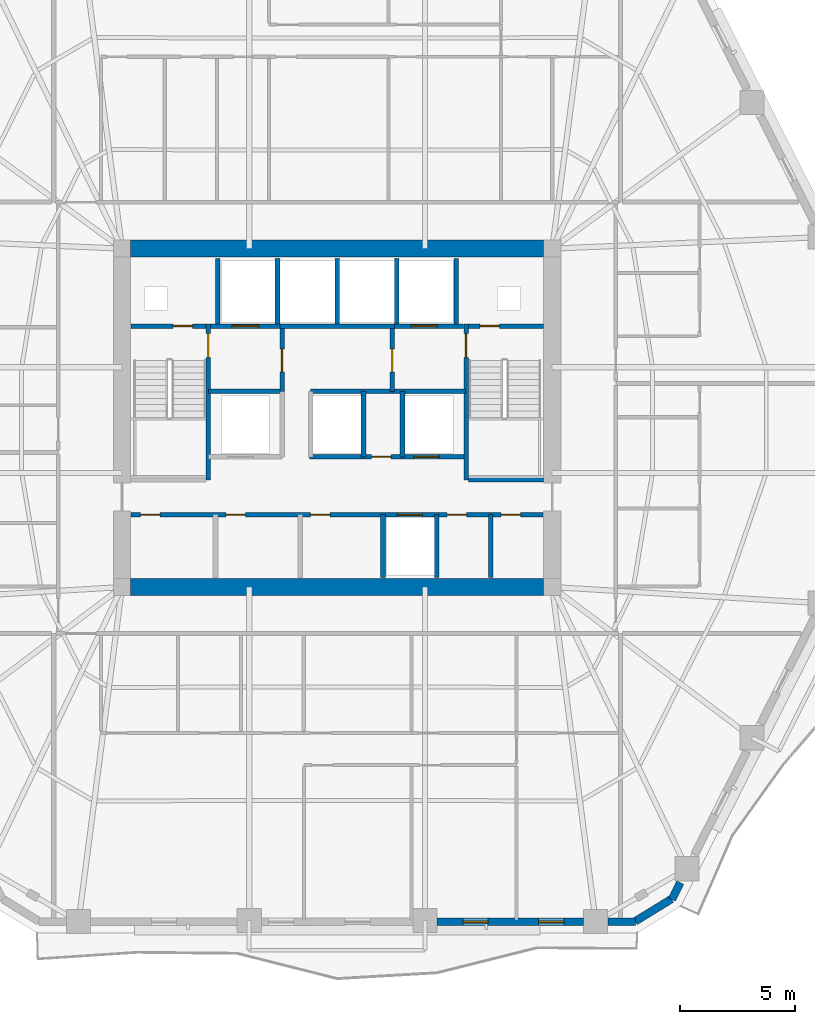
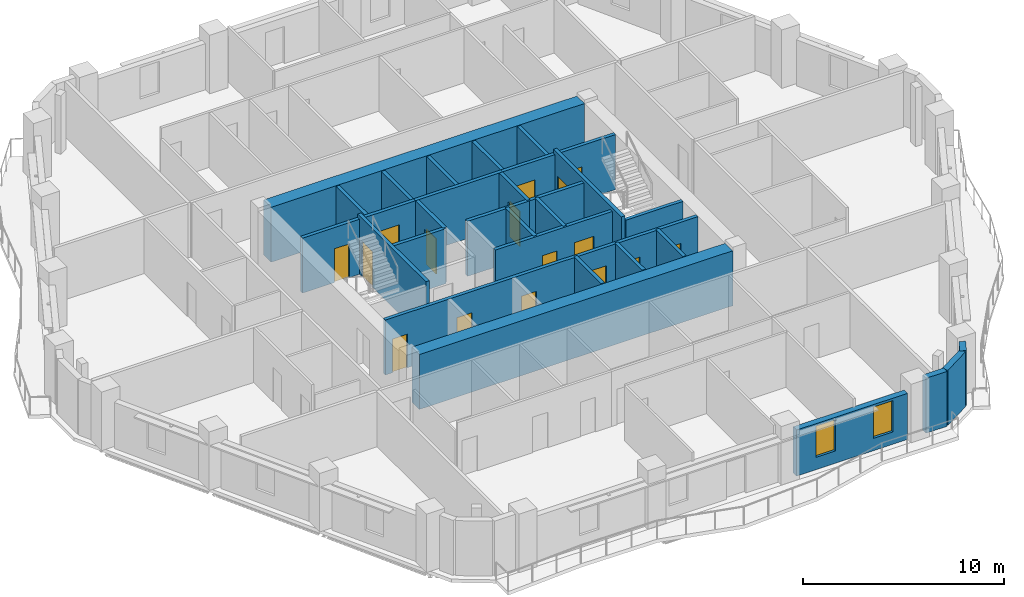
# One storey, part 5 of 12: 31 walls, 16 doors, 2 windows, 18 openings.
"""IFC4 building model written with IfcOpenShell, lengths in metres."""

from ifc_helpers import new_model, si_unit, direction, frame, frame_2d, origin, place, context, subcontext, project, spatial, rectangle, extrude, material, layer, layer_set, type_object, element, fill, save


model = new_model("IFC4")

# Units and contexts
model_context = context("Model", 3, precision=1e-05, world=origin(), true_north=direction((0.0, 1.0)))
body_context = subcontext(model_context, "Body", "Model", "MODEL_VIEW")
ifc_project = project(units=[si_unit("LENGTHUNIT", "METRE"), si_unit("AREAUNIT", "SQUARE_METRE"), si_unit("VOLUMEUNIT", "CUBIC_METRE"), si_unit("PLANEANGLEUNIT", "RADIAN"), si_unit("MASSUNIT", "GRAM", prefix="KILO")], contexts=[model_context])

# Site, building, storey
site_placement = place(None, origin())
site = spatial("IfcSite", under=ifc_project, at=site_placement, CompositionType="ELEMENT")
building_placement = place(site_placement, origin())
building = spatial("IfcBuilding", under=site, at=building_placement, Name="Cinnabar Lancet Tower", CompositionType="ELEMENT")
storey_placement = place(building_placement, frame((0.0, 0.0, 141.0)))
storey = spatial("IfcBuildingStorey", under=building, at=storey_placement, Name="L37", CompositionType="ELEMENT", Elevation=141.0)

# Wall
ifc_material_1 = material(Name="Autoclaved aerated concrete blockwork", Category="masonry")
ifc_layer_1 = layer(ifc_material_1, 0.199951171875)
ifc_layer_set_1 = layer_set([ifc_layer_1], Name="Autoclaved aerated concrete blockwork")
wall_type_1 = type_object("IfcWallType", Name="ARC-WL-SHAFT-200", PredefinedType="PLUMBINGWALL", material=ifc_layer_set_1)
wall_1_placement = place(storey_placement, frame((38.125, 23.199951171875, 0.0), z_axis=(0.0, 0.0, 1.0), x_axis=(1.0, 0.0, 0.0)))
element("IfcWall", 1, at=wall_1_placement, inside=storey, type_object=wall_type_1, Name="CW-ST2S-L37", PredefinedType="PLUMBINGWALL", context=body_context, shape_type="SweptSolid", body=[
    extrude(rectangle(XDim=3.27001953125, YDim=0.199951171875, at=frame_2d((1.635009765625, 0.0))), origin(), (0.0, 0.0, 1.0), 3.340087890625),
])

# Wall, opening, door
wall_2_placement = place(storey_placement, frame((23.405029296875, 29.89990234375, 0.0), z_axis=(0.0, 0.0, 1.0), x_axis=(1.0, 0.0, 0.0)))
wall_2 = element("IfcWall", 2, at=wall_2_placement, inside=storey, type_object=wall_type_1, Name="CW-NSH-W-L37", PredefinedType="PLUMBINGWALL", context=body_context, shape_type="SweptSolid", body=[
    extrude(rectangle(XDim=3.27001953125, YDim=0.199951171875, at=frame_2d((1.635009765625, 0.0))), origin(), (0.0, 0.0, 1.0), 3.340087890625),
])
opening_1_placement = place(wall_2_placement, frame((1.85009765625, 0.0, 0.0)))
opening_1 = element("IfcOpeningElement", 3, at=opening_1_placement, cuts=wall_2, Name="Opening PD-02", PredefinedType="OPENING", context=body_context, shape_type="SweptSolid", body=[
    extrude(rectangle(XDim=0.85009765625, YDim=2.050048828125, at=frame_2d((0.425048828125, 1.02490234375))), frame((0.0, 0.10986328125, 0.0), z_axis=(0.0, -1.0, 0.0), x_axis=(1.0, 0.0, 0.0)), (0.0, 0.0, 1.0), 0.219970703125),
])
ifc_material_2 = material(Name="Fire-rated steel riser access door", Category="steel")
door_type_1 = type_object("IfcDoorType", Name="ARC-DR-RISER", OperationType="NOTDEFINED", PredefinedType="DOOR", material=ifc_material_2)
door_1_placement = place(opening_1_placement, origin())
door_1 = element("IfcDoor", 4, at=door_1_placement, inside=storey, type_object=door_type_1, Name="L37 West Riser Access Door", OperationType="SINGLE_SWING_LEFT", OverallHeight=2.050048828125, OverallWidth=0.85009765625, PredefinedType="DOOR", context=body_context, shape_type="SweptSolid", body=[
    extrude(rectangle(XDim=0.85009765625, YDim=2.050048828125, at=frame_2d((0.425048828125, 1.02490234375))), frame((0.0, 0.02490234375, 0.0), z_axis=(0.0, -1.0, 0.0), x_axis=(1.0, 0.0, 0.0)), (0.0, 0.0, 1.0), 0.050048828125),
])
fill(opening_1, door_1)

wall_3_placement = place(storey_placement, frame((26.885009765625, 29.89990234375, 0.0), z_axis=(0.0, 0.0, 1.0), x_axis=(1.0, 0.0, 0.0)))
wall_3 = element("IfcWall", 5, at=wall_3_placement, inside=storey, type_object=wall_type_1, Name="CW-FL1-L37", PredefinedType="PLUMBINGWALL", context=body_context, shape_type="SweptSolid", body=[
    extrude(rectangle(XDim=3.014892578125, YDim=0.199951171875, at=frame_2d((1.50732421875, 0.0))), origin(), (0.0, 0.0, 1.0), 3.340087890625),
])
opening_2_placement = place(wall_3_placement, frame((0.93994140625, 0.0, 0.0)))
opening_2 = element("IfcOpeningElement", 6, at=opening_2_placement, cuts=wall_3, Name="Opening LD-02", PredefinedType="OPENING", context=body_context, shape_type="SweptSolid", body=[
    extrude(rectangle(XDim=1.14990234375, YDim=2.199951171875, at=frame_2d((0.574951171875, 1.10009765625))), frame((0.0, 0.10986328125, 0.0), z_axis=(0.0, -1.0, 0.0), x_axis=(1.0, 0.0, 0.0)), (0.0, 0.0, 1.0), 0.219970703125),
])
ifc_material_3 = material(Name="Fire-rated stainless steel firefighting lift landing door", Category="steel")
door_type_2 = type_object("IfcDoorType", Name="ARC-DR-LD-FIRE", OperationType="NOTDEFINED", PredefinedType="DOOR", material=ifc_material_3)
door_2_placement = place(opening_2_placement, origin())
door_2 = element("IfcDoor", 7, at=door_2_placement, inside=storey, type_object=door_type_2, Name="L37 Firefighting Lift FL-1 Landing Door", OperationType="DOUBLE_DOOR_SLIDING", OverallHeight=2.199951171875, OverallWidth=1.14990234375, PredefinedType="DOOR", context=body_context, shape_type="SweptSolid", body=[
    extrude(rectangle(XDim=1.14990234375, YDim=2.199951171875, at=frame_2d((0.574951171875, 1.10009765625))), frame((0.0, 0.02490234375, 0.0), z_axis=(0.0, -1.0, 0.0), x_axis=(1.0, 0.0, 0.0)), (0.0, 0.0, 1.0), 0.050048828125),
])
fill(opening_2, door_2)

# Wall
wall_4_placement = place(storey_placement, frame((29.89990234375, 29.89990234375, 0.0), z_axis=(0.0, 0.0, 1.0), x_axis=(1.0, 0.0, 0.0)))
element("IfcWall", 8, at=wall_4_placement, inside=storey, type_object=wall_type_1, Name="CW-PL78-L37", PredefinedType="PLUMBINGWALL", context=body_context, shape_type="SweptSolid", body=[
    extrude(rectangle(XDim=5.0, YDim=0.199951171875, at=frame_2d((2.5, 0.0))), origin(), (0.0, 0.0, 1.0), 3.340087890625),
])

# Wall, opening, door
wall_5_placement = place(storey_placement, frame((34.89990234375, 29.89990234375, 0.0), z_axis=(0.0, 0.0, 1.0), x_axis=(1.0, 0.0, 0.0)))
wall_5 = element("IfcWall", 9, at=wall_5_placement, inside=storey, type_object=wall_type_1, Name="CW-FL2-L37", PredefinedType="PLUMBINGWALL", context=body_context, shape_type="SweptSolid", body=[
    extrude(rectangle(XDim=3.01513671875, YDim=0.199951171875, at=frame_2d((1.507568359375, 0.0))), origin(), (0.0, 0.0, 1.0), 3.340087890625),
])
opening_3_placement = place(wall_5_placement, frame((0.72509765625, 0.0, 0.0)))
opening_3 = element("IfcOpeningElement", 10, at=opening_3_placement, cuts=wall_5, Name="Opening LD-02", PredefinedType="OPENING", context=body_context, shape_type="SweptSolid", body=[
    extrude(rectangle(XDim=1.14990234375, YDim=2.199951171875, at=frame_2d((0.574951171875, 1.10009765625))), frame((0.0, 0.10986328125, 0.0), z_axis=(0.0, -1.0, 0.0), x_axis=(1.0, 0.0, 0.0)), (0.0, 0.0, 1.0), 0.219970703125),
])
door_3_placement = place(opening_3_placement, origin())
door_3 = element("IfcDoor", 11, at=door_3_placement, inside=storey, type_object=door_type_2, Name="L37 Firefighting Lift FL-2 Landing Door", OperationType="DOUBLE_DOOR_SLIDING", OverallHeight=2.199951171875, OverallWidth=1.14990234375, PredefinedType="DOOR", context=body_context, shape_type="SweptSolid", body=[
    extrude(rectangle(XDim=1.14990234375, YDim=2.199951171875, at=frame_2d((0.574951171875, 1.10009765625))), frame((0.0, 0.02490234375, 0.0), z_axis=(0.0, -1.0, 0.0), x_axis=(1.0, 0.0, 0.0)), (0.0, 0.0, 1.0), 0.050048828125),
])
fill(opening_3, door_3)

wall_6_placement = place(storey_placement, frame((38.125, 29.89990234375, 0.0), z_axis=(0.0, 0.0, 1.0), x_axis=(1.0, 0.0, 0.0)))
wall_6 = element("IfcWall", 12, at=wall_6_placement, inside=storey, type_object=wall_type_1, Name="CW-NSH-E-L37", PredefinedType="PLUMBINGWALL", context=body_context, shape_type="SweptSolid", body=[
    extrude(rectangle(XDim=3.27001953125, YDim=0.199951171875, at=frame_2d((1.635009765625, 0.0))), origin(), (0.0, 0.0, 1.0), 3.340087890625),
])
opening_4_placement = place(wall_6_placement, frame((0.5, 0.0, 0.0)))
opening_4 = element("IfcOpeningElement", 13, at=opening_4_placement, cuts=wall_6, Name="Opening PD-02", PredefinedType="OPENING", context=body_context, shape_type="SweptSolid", body=[
    extrude(rectangle(XDim=0.85009765625, YDim=2.050048828125, at=frame_2d((0.425048828125, 1.02490234375))), frame((0.0, 0.10986328125, 0.0), z_axis=(0.0, -1.0, 0.0), x_axis=(1.0, 0.0, 0.0)), (0.0, 0.0, 1.0), 0.219970703125),
])
door_4_placement = place(opening_4_placement, origin())
door_4 = element("IfcDoor", 14, at=door_4_placement, inside=storey, type_object=door_type_1, Name="L37 East Riser Access Door", OperationType="SINGLE_SWING_RIGHT", OverallHeight=2.050048828125, OverallWidth=0.85009765625, PredefinedType="DOOR", context=body_context, shape_type="SweptSolid", body=[
    extrude(rectangle(XDim=0.85009765625, YDim=2.050048828125, at=frame_2d((0.425048828125, 1.02490234375))), frame((0.0, 0.02490234375, 0.0), z_axis=(0.0, -1.0, 0.0), x_axis=(1.0, 0.0, 0.0)), (0.0, 0.0, 1.0), 0.050048828125),
])
fill(opening_4, door_4)

# Walls
for number, where, z_axis, x_axis, name in (
    (15, (27.199951171875, 30.0, 0.0), (0.0, 0.0, 1.0), (0.0, 1.0, 0.0), "CW-NSH-D1-L37"),
    (16, (29.800048828125, 30.0, 0.0), (0.0, 0.0, 1.0), (0.0, 1.0, 0.0), "CW-NSH-D2-L37"),
    (17, (32.39990234375, 30.0, 0.0), (0.0, 0.0, 1.0), (0.0, 1.0, 0.0), "CW-NSH-D3-L37"),
    (18, (35.0, 30.0, 0.0), (0.0, 0.0, 1.0), (0.0, 1.0, 0.0), "CW-NSH-D4-L37"),
    (19, (37.60009765625, 30.0, 0.0), (0.0, 0.0, 1.0), (0.0, 1.0, 0.0), "CW-NSH-D5-L37"),
):
    element("IfcWall", number, at=place(storey_placement, frame(where, z_axis=z_axis, x_axis=x_axis)), inside=storey, type_object=wall_type_1, Name=name, PredefinedType="PLUMBINGWALL", context=body_context, shape_type="SweptSolid", body=[
        extrude(rectangle(XDim=2.85009765625, YDim=0.199951171875, at=frame_2d((1.425048828125, 0.0))), origin(), (0.0, 0.0, 1.0), 3.340087890625),
    ])

# Wall, opening, door
wall_7_placement = place(storey_placement, frame((30.0, 27.050048828125, 0.0), z_axis=(0.0, 0.0, 1.0), x_axis=(0.0, 1.0, 0.0)))
wall_7 = element("IfcWall", 20, at=wall_7_placement, inside=storey, type_object=wall_type_1, Name="CW-FF1E-L37", PredefinedType="PLUMBINGWALL", context=body_context, shape_type="SweptSolid", body=[
    extrude(rectangle(XDim=2.75, YDim=0.199951171875, at=frame_2d((1.375, 0.0))), origin(), (0.0, 0.0, 1.0), 3.340087890625),
])
opening_5_placement = place(wall_7_placement, frame((0.85009765625, 0.0, 0.0)))
opening_5 = element("IfcOpeningElement", 21, at=opening_5_placement, cuts=wall_7, Name="Opening FD-01", PredefinedType="OPENING", context=body_context, shape_type="SweptSolid", body=[
    extrude(rectangle(XDim=1.0, YDim=2.14990234375, at=frame_2d((0.5, 1.074951171875))), frame((0.0, 0.10986328125, 0.0), z_axis=(0.0, -1.0, 0.0), x_axis=(1.0, 0.0, 0.0)), (0.0, 0.0, 1.0), 0.219970703125),
])
ifc_material_4 = material(Name="Fire-rated timber-core lobby door", Category="wood")
door_type_3 = type_object("IfcDoorType", Name="ARC-DR-FFAL", OperationType="NOTDEFINED", PredefinedType="DOOR", material=ifc_material_4)
door_5_placement = place(opening_5_placement, origin())
door_5 = element("IfcDoor", 22, at=door_5_placement, inside=storey, type_object=door_type_3, Name="L37 FFAL-1 Lobby Fire Door", OperationType="SINGLE_SWING_RIGHT", OverallHeight=2.14990234375, OverallWidth=1.0, PredefinedType="DOOR", context=body_context, shape_type="SweptSolid", body=[
    extrude(rectangle(XDim=1.0, YDim=2.14990234375, at=frame_2d((0.5, 1.074951171875))), frame((0.0, 0.02490234375, 0.0), z_axis=(0.0, -1.0, 0.0), x_axis=(1.0, 0.0, 0.0)), (0.0, 0.0, 1.0), 0.050048828125),
])
fill(opening_5, door_5)

# Wall
wall_8_placement = place(storey_placement, frame((26.800048828125, 27.050048828125, 0.0), z_axis=(0.0, 0.0, 1.0), x_axis=(1.0, 0.0, 0.0)))
element("IfcWall", 23, at=wall_8_placement, inside=storey, type_object=wall_type_1, Name="CW-FF1S-L37", PredefinedType="PLUMBINGWALL", context=body_context, shape_type="SweptSolid", body=[
    extrude(rectangle(XDim=3.199951171875, YDim=0.199951171875, at=frame_2d((1.60009765625, 0.0))), origin(), (0.0, 0.0, 1.0), 3.340087890625),
])

# Wall, opening, door
wall_9_placement = place(storey_placement, frame((34.800048828125, 27.050048828125, 0.0), z_axis=(0.0, 0.0, 1.0), x_axis=(0.0, 1.0, 0.0)))
wall_9 = element("IfcWall", 24, at=wall_9_placement, inside=storey, type_object=wall_type_1, Name="CW-FF2W-L37", PredefinedType="PLUMBINGWALL", context=body_context, shape_type="SweptSolid", body=[
    extrude(rectangle(XDim=2.75, YDim=0.199951171875, at=frame_2d((1.375, 0.0))), origin(), (0.0, 0.0, 1.0), 3.340087890625),
])
opening_6_placement = place(wall_9_placement, frame((0.85009765625, 0.0, 0.0)))
opening_6 = element("IfcOpeningElement", 25, at=opening_6_placement, cuts=wall_9, Name="Opening FD-01", PredefinedType="OPENING", context=body_context, shape_type="SweptSolid", body=[
    extrude(rectangle(XDim=1.0, YDim=2.14990234375, at=frame_2d((0.5, 1.074951171875))), frame((0.0, 0.10986328125, 0.0), z_axis=(0.0, -1.0, 0.0), x_axis=(1.0, 0.0, 0.0)), (0.0, 0.0, 1.0), 0.219970703125),
])
door_6_placement = place(opening_6_placement, origin())
door_6 = element("IfcDoor", 26, at=door_6_placement, inside=storey, type_object=door_type_3, Name="L37 FFAL-2 Lobby Fire Door", OperationType="SINGLE_SWING_LEFT", OverallHeight=2.14990234375, OverallWidth=1.0, PredefinedType="DOOR", context=body_context, shape_type="SweptSolid", body=[
    extrude(rectangle(XDim=1.0, YDim=2.14990234375, at=frame_2d((0.5, 1.074951171875))), frame((0.0, 0.02490234375, 0.0), z_axis=(0.0, -1.0, 0.0), x_axis=(1.0, 0.0, 0.0)), (0.0, 0.0, 1.0), 0.050048828125),
])
fill(opening_6, door_6)

# Wall
wall_10_placement = place(storey_placement, frame((34.800048828125, 27.050048828125, 0.0), z_axis=(0.0, 0.0, 1.0), x_axis=(1.0, 0.0, 0.0)))
element("IfcWall", 27, at=wall_10_placement, inside=storey, type_object=wall_type_1, Name="CW-FF2S-L37", PredefinedType="PLUMBINGWALL", context=body_context, shape_type="SweptSolid", body=[
    extrude(rectangle(XDim=3.199951171875, YDim=0.199951171875, at=frame_2d((1.60009765625, 0.0))), origin(), (0.0, 0.0, 1.0), 3.340087890625),
])

# Wall, openings, doors
wall_11_placement = place(storey_placement, frame((31.199951171875, 24.199951171875, 0.0), z_axis=(0.0, 0.0, 1.0), x_axis=(1.0, 0.0, 0.0)))
wall_11 = element("IfcWall", 28, at=wall_11_placement, inside=storey, type_object=wall_type_1, Name="CW-PL96S-L37", PredefinedType="PLUMBINGWALL", context=body_context, shape_type="SweptSolid", body=[
    extrude(rectangle(XDim=6.800048828125, YDim=0.199951171875, at=frame_2d((3.39990234375, 0.0))), origin(), (0.0, 0.0, 1.0), 3.340087890625),
])
opening_7_placement = place(wall_11_placement, frame((2.699951171875, 0.0, 0.0)))
opening_7 = element("IfcOpeningElement", 29, at=opening_7_placement, cuts=wall_11, Name="Opening PD-02", PredefinedType="OPENING", context=body_context, shape_type="SweptSolid", body=[
    extrude(rectangle(XDim=0.85009765625, YDim=2.050048828125, at=frame_2d((0.425048828125, 1.02490234375))), frame((0.0, 0.10986328125, 0.0), z_axis=(0.0, -1.0, 0.0), x_axis=(1.0, 0.0, 0.0)), (0.0, 0.0, 1.0), 0.219970703125),
])
opening_8_placement = place(wall_11_placement, frame((4.550048828125, 0.0, 0.0)))
opening_8 = element("IfcOpeningElement", 30, at=opening_8_placement, cuts=wall_11, Name="Opening LD-01", PredefinedType="OPENING", context=body_context, shape_type="SweptSolid", body=[
    extrude(rectangle(XDim=1.10009765625, YDim=2.199951171875, at=frame_2d((0.550048828125, 1.10009765625))), frame((0.0, 0.10986328125, 0.0), z_axis=(0.0, -1.0, 0.0), x_axis=(1.0, 0.0, 0.0)), (0.0, 0.0, 1.0), 0.219970703125),
])
ifc_material_5 = material(Name="Brushed stainless steel sliding lift door", Category="steel")
door_type_4 = type_object("IfcDoorType", Name="ARC-DR-LD-PASS", OperationType="NOTDEFINED", PredefinedType="DOOR", material=ifc_material_5)
door_7_placement = place(opening_8_placement, origin())
door_7 = element("IfcDoor", 31, at=door_7_placement, inside=storey, type_object=door_type_4, Name="L37 Lift PL-6 Landing Door", OperationType="DOUBLE_DOOR_SLIDING", OverallHeight=2.199951171875, OverallWidth=1.10009765625, PredefinedType="DOOR", context=body_context, shape_type="SweptSolid", body=[
    extrude(rectangle(XDim=1.10009765625, YDim=2.199951171875, at=frame_2d((0.550048828125, 1.10009765625))), frame((0.0, 0.02490234375, 0.0), z_axis=(0.0, -1.0, 0.0), x_axis=(1.0, 0.0, 0.0)), (0.0, 0.0, 1.0), 0.050048828125),
])
fill(opening_8, door_7)
door_8_placement = place(opening_7_placement, origin())
door_8 = element("IfcDoor", 32, at=door_8_placement, inside=storey, type_object=door_type_1, Name="L37 BMS Closet Door", OperationType="SINGLE_SWING_LEFT", OverallHeight=2.050048828125, OverallWidth=0.85009765625, PredefinedType="DOOR", context=body_context, shape_type="SweptSolid", body=[
    extrude(rectangle(XDim=0.85009765625, YDim=2.050048828125, at=frame_2d((0.425048828125, 1.02490234375))), frame((0.0, 0.02490234375, 0.0), z_axis=(0.0, -1.0, 0.0), x_axis=(1.0, 0.0, 0.0)), (0.0, 0.0, 1.0), 0.050048828125),
])
fill(opening_7, door_8)

# Walls
for number, where, z_axis, x_axis, name in (
    (33, (33.550048828125, 24.199951171875, 0.0), (0.0, 0.0, 1.0), (0.0, 1.0, 0.0), "CW-PL9E-L37"),
    (34, (35.25, 24.199951171875, 0.0), (0.0, 0.0, 1.0), (0.0, 1.0, 0.0), "CW-PL6W-L37"),
):
    element("IfcWall", number, at=place(storey_placement, frame(where, z_axis=z_axis, x_axis=x_axis)), inside=storey, type_object=wall_type_1, Name=name, PredefinedType="PLUMBINGWALL", context=body_context, shape_type="SweptSolid", body=[
        extrude(rectangle(XDim=2.85009765625, YDim=0.199951171875, at=frame_2d((1.425048828125, 0.0))), origin(), (0.0, 0.0, 1.0), 3.340087890625),
    ])
wall_12_placement = place(storey_placement, frame((31.25, 27.050048828125, 0.0), z_axis=(0.0, 0.0, 1.0), x_axis=(1.0, 0.0, 0.0)))
element("IfcWall", 35, at=wall_12_placement, inside=storey, type_object=wall_type_1, Name="CW-PL96N-L37", PredefinedType="PLUMBINGWALL", context=body_context, shape_type="SweptSolid", body=[
    extrude(rectangle(XDim=3.550048828125, YDim=0.199951171875, at=frame_2d((1.77490234375, 0.0))), origin(), (0.0, 0.0, 1.0), 3.340087890625),
])

# Wall, openings, doors
wall_13_placement = place(storey_placement, frame((23.419921875, 21.679931640625, 0.0), z_axis=(0.0, 0.0, 1.0), x_axis=(1.0, 0.0, 0.0)))
wall_13 = element("IfcWall", 36, at=wall_13_placement, inside=storey, type_object=wall_type_1, Name="CW-SBANDN-L37", PredefinedType="PLUMBINGWALL", context=body_context, shape_type="SweptSolid", body=[
    extrude(rectangle(XDim=17.9599609375, YDim=0.199951171875, at=frame_2d((8.97998046875, 0.0))), origin(), (0.0, 0.0, 1.0), 3.340087890625),
])
opening_9_placement = place(wall_13_placement, frame((11.60009765625, 0.0, 0.0)))
opening_9 = element("IfcOpeningElement", 37, at=opening_9_placement, cuts=wall_13, Name="Opening LD-01", PredefinedType="OPENING", context=body_context, shape_type="SweptSolid", body=[
    extrude(rectangle(XDim=1.10009765625, YDim=2.199951171875, at=frame_2d((0.550048828125, 1.10009765625))), frame((0.0, 0.10986328125, 0.0), z_axis=(0.0, -1.0, 0.0), x_axis=(1.0, 0.0, 0.0)), (0.0, 0.0, 1.0), 0.219970703125),
])
opening_10_placement = place(wall_13_placement, frame((0.409912109375, 0.0, 0.0)))
opening_10 = element("IfcOpeningElement", 38, at=opening_10_placement, cuts=wall_13, Name="Opening PD-02", PredefinedType="OPENING", context=body_context, shape_type="SweptSolid", body=[
    extrude(rectangle(XDim=0.85009765625, YDim=2.050048828125, at=frame_2d((0.425048828125, 1.02490234375))), frame((0.0, 0.10986328125, 0.0), z_axis=(0.0, -1.0, 0.0), x_axis=(1.0, 0.0, 0.0)), (0.0, 0.0, 1.0), 0.219970703125),
])
opening_11_placement = place(wall_13_placement, frame((4.1298828125, 0.0, 0.0)))
opening_11 = element("IfcOpeningElement", 39, at=opening_11_placement, cuts=wall_13, Name="Opening PD-02", PredefinedType="OPENING", context=body_context, shape_type="SweptSolid", body=[
    extrude(rectangle(XDim=0.85009765625, YDim=2.050048828125, at=frame_2d((0.425048828125, 1.02490234375))), frame((0.0, 0.10986328125, 0.0), z_axis=(0.0, -1.0, 0.0), x_axis=(1.0, 0.0, 0.0)), (0.0, 0.0, 1.0), 0.219970703125),
])
opening_12_placement = place(wall_13_placement, frame((7.830078125, 0.0, 0.0)))
opening_12 = element("IfcOpeningElement", 40, at=opening_12_placement, cuts=wall_13, Name="Opening PD-02", PredefinedType="OPENING", context=body_context, shape_type="SweptSolid", body=[
    extrude(rectangle(XDim=0.85009765625, YDim=2.050048828125, at=frame_2d((0.425048828125, 1.02490234375))), frame((0.0, 0.10986328125, 0.0), z_axis=(0.0, -1.0, 0.0), x_axis=(1.0, 0.0, 0.0)), (0.0, 0.0, 1.0), 0.219970703125),
])
opening_13_placement = place(wall_13_placement, frame((13.780029296875, 0.0, 0.0)))
opening_13 = element("IfcOpeningElement", 41, at=opening_13_placement, cuts=wall_13, Name="Opening PD-02", PredefinedType="OPENING", context=body_context, shape_type="SweptSolid", body=[
    extrude(rectangle(XDim=0.85009765625, YDim=2.050048828125, at=frame_2d((0.425048828125, 1.02490234375))), frame((0.0, 0.10986328125, 0.0), z_axis=(0.0, -1.0, 0.0), x_axis=(1.0, 0.0, 0.0)), (0.0, 0.0, 1.0), 0.219970703125),
])
opening_14_placement = place(wall_13_placement, frame((16.1298828125, 0.0, 0.0)))
opening_14 = element("IfcOpeningElement", 42, at=opening_14_placement, cuts=wall_13, Name="Opening PD-02", PredefinedType="OPENING", context=body_context, shape_type="SweptSolid", body=[
    extrude(rectangle(XDim=0.85009765625, YDim=2.050048828125, at=frame_2d((0.425048828125, 1.02490234375))), frame((0.0, 0.10986328125, 0.0), z_axis=(0.0, -1.0, 0.0), x_axis=(1.0, 0.0, 0.0)), (0.0, 0.0, 1.0), 0.219970703125),
])
door_9_placement = place(opening_9_placement, origin())
door_9 = element("IfcDoor", 43, at=door_9_placement, inside=storey, type_object=door_type_4, Name="L37 Lift PL-4 Landing Door", OperationType="DOUBLE_DOOR_SLIDING", OverallHeight=2.199951171875, OverallWidth=1.10009765625, PredefinedType="DOOR", context=body_context, shape_type="SweptSolid", body=[
    extrude(rectangle(XDim=1.10009765625, YDim=2.199951171875, at=frame_2d((0.550048828125, 1.10009765625))), frame((0.0, 0.02490234375, 0.0), z_axis=(0.0, -1.0, 0.0), x_axis=(1.0, 0.0, 0.0)), (0.0, 0.0, 1.0), 0.050048828125),
])
fill(opening_9, door_9)
door_10_placement = place(opening_10_placement, origin())
door_10 = element("IfcDoor", 44, at=door_10_placement, inside=storey, type_object=door_type_1, Name="DR-L37-MREC1", OperationType="SINGLE_SWING_LEFT", OverallHeight=2.050048828125, OverallWidth=0.85009765625, PredefinedType="DOOR", context=body_context, shape_type="SweptSolid", body=[
    extrude(rectangle(XDim=0.85009765625, YDim=2.050048828125, at=frame_2d((0.425048828125, 1.02490234375))), frame((0.0, 0.02490234375, 0.0), z_axis=(0.0, -1.0, 0.0), x_axis=(1.0, 0.0, 0.0)), (0.0, 0.0, 1.0), 0.050048828125),
])
fill(opening_10, door_10)
door_11_placement = place(opening_11_placement, origin())
door_11 = element("IfcDoor", 45, at=door_11_placement, inside=storey, type_object=door_type_1, Name="DR-L37-MREC2", OperationType="SINGLE_SWING_RIGHT", OverallHeight=2.050048828125, OverallWidth=0.85009765625, PredefinedType="DOOR", context=body_context, shape_type="SweptSolid", body=[
    extrude(rectangle(XDim=0.85009765625, YDim=2.050048828125, at=frame_2d((0.425048828125, 1.02490234375))), frame((0.0, 0.02490234375, 0.0), z_axis=(0.0, -1.0, 0.0), x_axis=(1.0, 0.0, 0.0)), (0.0, 0.0, 1.0), 0.050048828125),
])
fill(opening_11, door_11)
door_12_placement = place(opening_12_placement, origin())
door_12 = element("IfcDoor", 46, at=door_12_placement, inside=storey, type_object=door_type_1, Name="DR-L37-MREC3", OperationType="SINGLE_SWING_LEFT", OverallHeight=2.050048828125, OverallWidth=0.85009765625, PredefinedType="DOOR", context=body_context, shape_type="SweptSolid", body=[
    extrude(rectangle(XDim=0.85009765625, YDim=2.050048828125, at=frame_2d((0.425048828125, 1.02490234375))), frame((0.0, 0.02490234375, 0.0), z_axis=(0.0, -1.0, 0.0), x_axis=(1.0, 0.0, 0.0)), (0.0, 0.0, 1.0), 0.050048828125),
])
fill(opening_12, door_12)
door_13_placement = place(opening_13_placement, origin())
door_13 = element("IfcDoor", 47, at=door_13_placement, inside=storey, type_object=door_type_1, Name="DR-L37-MREC4", OperationType="SINGLE_SWING_RIGHT", OverallHeight=2.050048828125, OverallWidth=0.85009765625, PredefinedType="DOOR", context=body_context, shape_type="SweptSolid", body=[
    extrude(rectangle(XDim=0.85009765625, YDim=2.050048828125, at=frame_2d((0.425048828125, 1.02490234375))), frame((0.0, 0.02490234375, 0.0), z_axis=(0.0, -1.0, 0.0), x_axis=(1.0, 0.0, 0.0)), (0.0, 0.0, 1.0), 0.050048828125),
])
fill(opening_13, door_13)
door_14_placement = place(opening_14_placement, origin())
door_14 = element("IfcDoor", 48, at=door_14_placement, inside=storey, type_object=door_type_1, Name="DR-L37-MREC5", OperationType="SINGLE_SWING_LEFT", OverallHeight=2.050048828125, OverallWidth=0.85009765625, PredefinedType="DOOR", context=body_context, shape_type="SweptSolid", body=[
    extrude(rectangle(XDim=0.85009765625, YDim=2.050048828125, at=frame_2d((0.425048828125, 1.02490234375))), frame((0.0, 0.02490234375, 0.0), z_axis=(0.0, -1.0, 0.0), x_axis=(1.0, 0.0, 0.0)), (0.0, 0.0, 1.0), 0.050048828125),
])
fill(opening_14, door_14)

# Walls
for number, where, z_axis, x_axis, name in (
    (49, (34.39990234375, 18.949951171875, 0.0), (0.0, 0.0, 1.0), (0.0, 1.0, 0.0), "CW-SB-3440-L37"),
    (50, (36.75, 18.949951171875, 0.0), (0.0, 0.0, 1.0), (0.0, 1.0, 0.0), "CW-SB-3675-L37"),
    (51, (39.10009765625, 18.949951171875, 0.0), (0.0, 0.0, 1.0), (0.0, 1.0, 0.0), "CW-SB-3910-L37"),
):
    element("IfcWall", number, at=place(storey_placement, frame(where, z_axis=z_axis, x_axis=x_axis)), inside=storey, type_object=wall_type_1, Name=name, PredefinedType="PLUMBINGWALL", context=body_context, shape_type="SweptSolid", body=[
        extrude(rectangle(XDim=2.72998046875, YDim=0.199951171875, at=frame_2d((1.364990234375, 0.0))), origin(), (0.0, 0.0, 1.0), 3.340087890625),
    ])
ifc_material_6 = material(Name="Cinnabar red clay brick", Category="masonry")
ifc_layer_2 = layer(ifc_material_6, 0.340087890625)
ifc_layer_set_2 = layer_set([ifc_layer_2], Name="Cinnabar red clay brick")
wall_type_2 = type_object("IfcWallType", Name="ENV-WL-BRK-RED-340", PredefinedType="STANDARD", material=ifc_layer_set_2)
wall_14_placement = place(storey_placement, frame((45.39697265625, 3.955078125, 0.0), z_axis=(0.0, 0.0, 1.0), x_axis=(0.851798915137, 0.523868884523, 0.0)))
element("IfcWall", 52, at=wall_14_placement, inside=storey, type_object=wall_type_2, Name="L37 Chamfered Corner Brick Pier 2.1", PredefinedType="STANDARD", context=body_context, shape_type="SweptSolid", body=[
    extrude(rectangle(XDim=1.847900390625, YDim=0.340087890625, at=frame_2d((0.923828125, 0.0))), origin(), (0.0, 0.0, 1.0), 3.340087890625),
])

# Wall, openings, windows
wall_15_placement = place(storey_placement, frame((36.760986328125, 3.929931640625, 0.0), z_axis=(0.0, 0.0, 1.0), x_axis=(1.0, 0.0, 0.0)))
wall_15 = element("IfcWall", 53, at=wall_15_placement, inside=storey, type_object=wall_type_2, Name="L37 Face 1 Masonry Bay Wall 4", PredefinedType="STANDARD", context=body_context, shape_type="SweptSolid", body=[
    extrude(rectangle(XDim=6.37890625, YDim=0.340087890625, at=frame_2d((3.189453125, 0.0))), origin(), (0.0, 0.0, 1.0), 2.797119140625),
])
opening_15_placement = place(wall_15_placement, frame((1.123046875, 0.0, 0.75)))
opening_15 = element("IfcOpeningElement", 54, at=opening_15_placement, cuts=wall_15, Name="Opening WN-04", PredefinedType="OPENING", context=body_context, shape_type="SweptSolid", body=[
    extrude(rectangle(XDim=1.10009765625, YDim=1.89697265625, at=frame_2d((0.550048828125, 0.948486328125))), frame((0.0, 0.179931640625, 0.0), z_axis=(0.0, -1.0, 0.0), x_axis=(1.0, 0.0, 0.0)), (0.0, 0.0, 1.0), 0.360107421875),
])
opening_16_placement = place(wall_15_placement, frame((4.425048828125, 0.0, 0.75)))
opening_16 = element("IfcOpeningElement", 55, at=opening_16_placement, cuts=wall_15, Name="Opening WN-04", PredefinedType="OPENING", context=body_context, shape_type="SweptSolid", body=[
    extrude(rectangle(XDim=1.10009765625, YDim=1.89697265625, at=frame_2d((0.550048828125, 0.948486328125))), frame((0.0, 0.179931640625, 0.0), z_axis=(0.0, -1.0, 0.0), x_axis=(1.0, 0.0, 0.0)), (0.0, 0.0, 1.0), 0.360107421875),
])
ifc_material_7 = material(Name="Thermally broken bronze-anodized aluminium tall lancet window", Category="aluminium")
window_type = type_object("IfcWindowType", Name="ENV-WN-LANCET-1100", PartitioningType="SINGLE_PANEL", PredefinedType="WINDOW", material=ifc_material_7)
window_1_placement = place(opening_15_placement, origin())
window_1 = element("IfcWindow", 56, at=window_1_placement, inside=storey, type_object=window_type, Name="L37 Face 1 Gothic Lancet Window 4", OverallHeight=1.89697265625, OverallWidth=1.10009765625, PartitioningType="SINGLE_PANEL", PredefinedType="WINDOW", context=body_context, shape_type="SweptSolid", body=[
    extrude(rectangle(XDim=1.10009765625, YDim=1.89697265625, at=frame_2d((0.550048828125, 0.948486328125))), frame((0.0, 0.030029296875, 0.0), z_axis=(0.0, -1.0, 0.0), x_axis=(1.0, 0.0, 0.0)), (0.0, 0.0, 1.0), 0.06005859375),
])
fill(opening_15, window_1)
window_2_placement = place(opening_16_placement, origin())
window_2 = element("IfcWindow", 57, at=window_2_placement, inside=storey, type_object=window_type, Name="L37 Split-Bay Gothic Lancet Window 107", OverallHeight=1.89697265625, OverallWidth=1.10009765625, PartitioningType="SINGLE_PANEL", PredefinedType="WINDOW", context=body_context, shape_type="SweptSolid", body=[
    extrude(rectangle(XDim=1.10009765625, YDim=1.89697265625, at=frame_2d((0.550048828125, 0.948486328125))), frame((0.0, 0.030029296875, 0.0), z_axis=(0.0, -1.0, 0.0), x_axis=(1.0, 0.0, 0.0)), (0.0, 0.0, 1.0), 0.06005859375),
])
fill(opening_16, window_2)

# Walls
wall_16_placement = place(storey_placement, frame((44.197998046875, 3.929931640625, 0.0), z_axis=(0.0, 0.0, 1.0), x_axis=(1.0, 0.0, 0.0)))
element("IfcWall", 58, at=wall_16_placement, inside=storey, type_object=wall_type_2, Name="L37 Face 1 Masonry Bay Wall 5", PredefinedType="STANDARD", context=body_context, shape_type="SweptSolid", body=[
    extrude(rectangle(XDim=1.2041015625, YDim=0.340087890625, at=frame_2d((0.60205078125, 0.0))), origin(), (0.0, 0.0, 1.0), 3.340087890625),
])
wall_17_placement = place(storey_placement, frame((46.990966796875, 4.906982421875, 0.0), z_axis=(0.0, 0.0, 1.0), x_axis=(0.45172514337, 0.892157158155, 0.0)))
element("IfcWall", 59, at=wall_17_placement, inside=storey, type_object=wall_type_2, Name="L37 Face 2 Masonry Bay Wall 1", PredefinedType="STANDARD", context=body_context, shape_type="SweptSolid", body=[
    extrude(rectangle(XDim=0.821533203125, YDim=0.340087890625, at=frame_2d((0.41064453125, 0.0))), origin(), (0.0, 0.0, 1.0), 3.340087890625),
])
ifc_material_8 = material(Name="Concrete C70/85", Category="concrete")
ifc_layer_3 = layer(ifc_material_8, 0.75)
ifc_layer_set_3 = layer_set([ifc_layer_3], Name="Concrete C70/85")
wall_type_3 = type_object("IfcWallType", Name="STR-WL-CORE-750", PredefinedType="SHEAR", material=ifc_layer_set_3)
for number, where, z_axis, x_axis, name in (
    (60, (23.39990234375, 18.52490234375, 0.0), (0.0, 0.0, 1.0), (1.0, 0.0, 0.0), "L37 Core Shear Wall S"),
    (61, (23.39990234375, 33.27490234375, 0.0), (0.0, 0.0, 1.0), (1.0, 0.0, 0.0), "L37 Core Shear Wall N"),
):
    element("IfcWall", number, at=place(storey_placement, frame(where, z_axis=z_axis, x_axis=x_axis)), inside=storey, type_object=wall_type_3, Name=name, PredefinedType="SHEAR", context=body_context, shape_type="SweptSolid", body=[
        extrude(rectangle(XDim=18.0, YDim=0.75, at=frame_2d((9.0, 0.0))), origin(), (0.0, 0.0, 1.0), 3.340087890625),
    ])

# Wall, opening, door
ifc_material_9 = material(Name="Concrete C50/60", Category="concrete")
ifc_layer_4 = layer(ifc_material_9, 0.199951171875)
ifc_layer_set_4 = layer_set([ifc_layer_4], Name="Concrete C50/60")
wall_type_4 = type_object("IfcWallType", Name="STR-WL-STAIR-200", PredefinedType="SHEAR", material=ifc_layer_set_4)
wall_18_placement = place(storey_placement, frame((26.780029296875, 23.199951171875, 0.0), z_axis=(0.0, 0.0, 1.0), x_axis=(0.0, 1.0, 0.0)))
wall_18 = element("IfcWall", 62, at=wall_18_placement, inside=storey, type_object=wall_type_4, Name="L37 Stair ST-1 Structural Enclosure Wall", PredefinedType="SHEAR", context=body_context, shape_type="SweptSolid", body=[
    extrude(rectangle(XDim=6.780029296875, YDim=0.199951171875, at=frame_2d((3.39013671875, 0.0))), origin(), (0.0, 0.0, 1.0), 3.550048828125),
])
opening_17_placement = place(wall_18_placement, frame((5.320068359375, 0.0, 0.0)))
opening_17 = element("IfcOpeningElement", 63, at=opening_17_placement, cuts=wall_18, Name="Opening SD-01", PredefinedType="OPENING", context=body_context, shape_type="SweptSolid", body=[
    extrude(rectangle(XDim=1.050048828125, YDim=2.14990234375, at=frame_2d((0.52490234375, 1.074951171875))), frame((0.0, 0.10986328125, 0.0), z_axis=(0.0, -1.0, 0.0), x_axis=(1.0, 0.0, 0.0)), (0.0, 0.0, 1.0), 0.219970703125),
])
ifc_material_10 = material(Name="Fire-rated steel stair exit door", Category="steel")
door_type_5 = type_object("IfcDoorType", Name="ARC-DR-STAIR", OperationType="NOTDEFINED", PredefinedType="DOOR", material=ifc_material_10)
door_15_placement = place(opening_17_placement, origin())
door_15 = element("IfcDoor", 64, at=door_15_placement, inside=storey, type_object=door_type_5, Name="L37 Stair ST-1 Fire Door", OperationType="SINGLE_SWING_LEFT", OverallHeight=2.14990234375, OverallWidth=1.050048828125, PredefinedType="DOOR", context=body_context, shape_type="SweptSolid", body=[
    extrude(rectangle(XDim=1.050048828125, YDim=2.14990234375, at=frame_2d((0.52490234375, 1.074951171875))), frame((0.0, 0.02490234375, 0.0), z_axis=(0.0, -1.0, 0.0), x_axis=(1.0, 0.0, 0.0)), (0.0, 0.0, 1.0), 0.050048828125),
])
fill(opening_17, door_15)

wall_19_placement = place(storey_placement, frame((38.02001953125, 23.199951171875, 0.0), z_axis=(0.0, 0.0, 1.0), x_axis=(0.0, 1.0, 0.0)))
wall_19 = element("IfcWall", 65, at=wall_19_placement, inside=storey, type_object=wall_type_4, Name="L37 Stair ST-2 Structural Enclosure Wall", PredefinedType="SHEAR", context=body_context, shape_type="SweptSolid", body=[
    extrude(rectangle(XDim=6.780029296875, YDim=0.199951171875, at=frame_2d((3.39013671875, 0.0))), origin(), (0.0, 0.0, 1.0), 3.550048828125),
])
opening_18_placement = place(wall_19_placement, frame((5.320068359375, 0.0, 0.0)))
opening_18 = element("IfcOpeningElement", 66, at=opening_18_placement, cuts=wall_19, Name="Opening SD-01", PredefinedType="OPENING", context=body_context, shape_type="SweptSolid", body=[
    extrude(rectangle(XDim=1.050048828125, YDim=2.14990234375, at=frame_2d((0.52490234375, 1.074951171875))), frame((0.0, 0.10986328125, 0.0), z_axis=(0.0, -1.0, 0.0), x_axis=(1.0, 0.0, 0.0)), (0.0, 0.0, 1.0), 0.219970703125),
])
door_16_placement = place(opening_18_placement, origin())
door_16 = element("IfcDoor", 67, at=door_16_placement, inside=storey, type_object=door_type_5, Name="L37 Stair ST-2 Fire Door", OperationType="SINGLE_SWING_RIGHT", OverallHeight=2.14990234375, OverallWidth=1.050048828125, PredefinedType="DOOR", context=body_context, shape_type="SweptSolid", body=[
    extrude(rectangle(XDim=1.050048828125, YDim=2.14990234375, at=frame_2d((0.52490234375, 1.074951171875))), frame((0.0, 0.02490234375, 0.0), z_axis=(0.0, -1.0, 0.0), x_axis=(1.0, 0.0, 0.0)), (0.0, 0.0, 1.0), 0.050048828125),
])
fill(opening_18, door_16)

save(model, "model.ifc")
